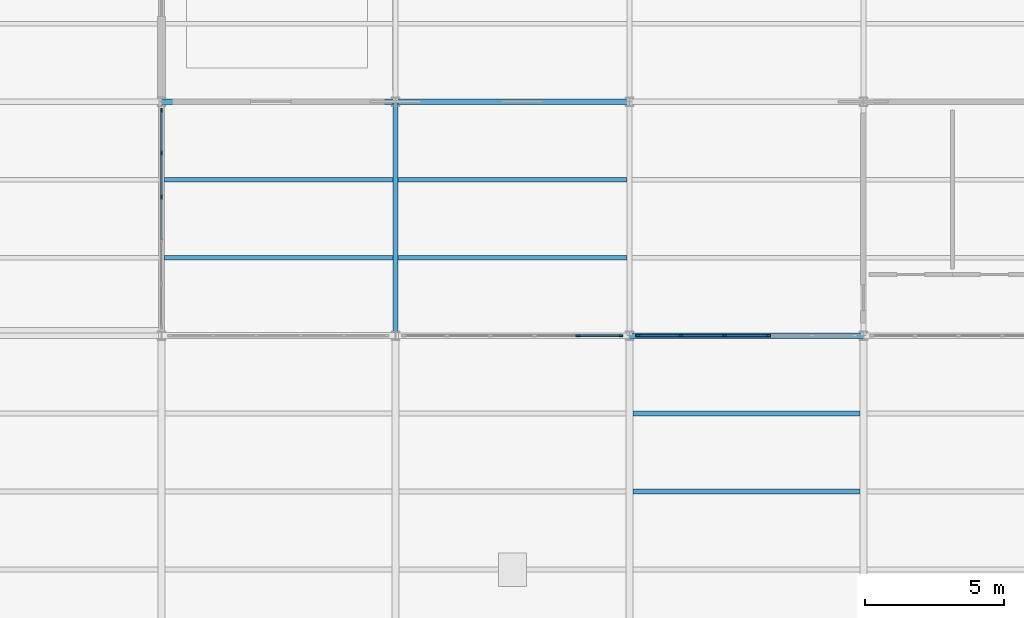
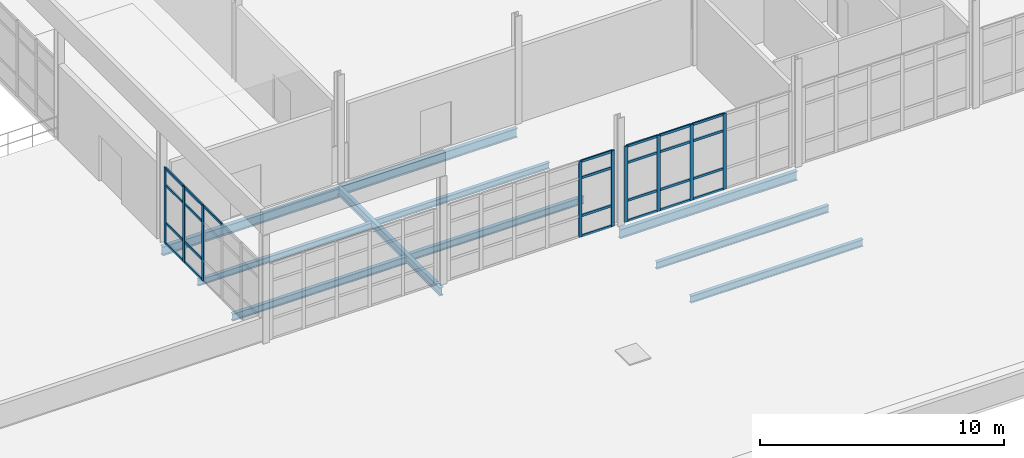
# One storey, part 9 of 33: 34 members, 10 beams, 3 elements without a shape of their own.
"""IFC4 building model written with IfcOpenShell, lengths in metres."""

from ifc_helpers import new_model, si_unit, direction, frame, origin, origin_2d, place, context, subcontext, project, spatial, rectangle, i_section, extrude, material, layer, layer_set, material_profile, profile_set, type_object, element, aggregate, save


model = new_model("IFC4")

# Units and contexts
model_context = context("Model", 3, precision=1e-05, world=origin(), true_north=direction((0.0, 1.0)))
body_context = subcontext(model_context, "Body", "Model", "MODEL_VIEW")
ifc_project = project(units=[si_unit("LENGTHUNIT", "METRE"), si_unit("AREAUNIT", "SQUARE_METRE"), si_unit("VOLUMEUNIT", "CUBIC_METRE"), si_unit("PLANEANGLEUNIT", "RADIAN"), si_unit("MASSUNIT", "GRAM", prefix="KILO"), si_unit("THERMODYNAMICTEMPERATUREUNIT", "KELVIN"), si_unit("POWERUNIT", "WATT")], contexts=[model_context])

# Site, building, storey
site_placement = place(None, origin())
site = spatial("IfcSite", under=ifc_project, at=site_placement, CompositionType="ELEMENT")
building_placement = place(site_placement, origin())
building = spatial("IfcBuilding", under=site, at=building_placement, Name="Tembeka Court Mobility Hub", CompositionType="ELEMENT")
storey_placement = place(building_placement, frame((0.0, 0.0, 23.39990234375)))
storey = spatial("IfcBuildingStorey", under=building, at=storey_placement, Name="L06", CompositionType="ELEMENT", Elevation=23.39990234375)

# Beams
ifc_material_1 = material(Name="Steel S355", Category="steel")
ifc_material_profile_1 = material_profile(ifc_material_1, i_section(OverallWidth=0.18994140625, OverallDepth=0.45703125, WebThickness=0.009033203125, FlangeThickness=0.014404296875, FilletRadius=0.01025390625, at=origin_2d()), Name="UKB 457x191x74")
ifc_profile_set_1 = profile_set([ifc_material_profile_1], Name="Steel S355")
beam_type_1 = type_object("IfcBeamType", Name="BM-B01", PredefinedType="BEAM", material=ifc_profile_set_1)
beam_1_placement = place(storey_placement, frame((50.39990234375, 38.39990234375, -0.478515625), z_axis=(1.0, 0.0, 0.0), x_axis=(0.0, 1.0, 0.0)))
element("IfcBeam", 1, at=beam_1_placement, inside=storey, type_object=beam_type_1, Name="Beam B01 (BM-L06-X3117)", PredefinedType="BEAM", context=body_context, shape_type="SweptSolid", body=[
    extrude(i_section(OverallWidth=0.18994140625, OverallDepth=0.45703125, WebThickness=0.009033203125, FlangeThickness=0.014404296875, FilletRadius=0.01025390625, at=origin_2d()), origin(), (0.0, 0.0, 1.0), 8.400146484375),
])
for number, where, z_axis, x_axis, name in (
    (2, (33.60009765625, 46.800048828125, -0.54833984375), (1.0, 0.0, 0.0), (0.0, 1.0, 0.0), "Beam B01 (BM-L06-X3125)"),
    (3, (42.0, 46.800048828125, -0.478515625), (1.0, 0.0, 0.0), (0.0, 1.0, 0.0), "Beam B01 (BM-L06-X3126)"),
):
    element("IfcBeam", number, at=place(storey_placement, frame(where, z_axis=z_axis, x_axis=x_axis)), inside=storey, type_object=beam_type_1, Name=name, PredefinedType="BEAM", context=body_context, shape_type="SweptSolid", body=[
        extrude(i_section(OverallWidth=0.18994140625, OverallDepth=0.45703125, WebThickness=0.009033203125, FlangeThickness=0.014404296875, FilletRadius=0.01025390625, at=origin_2d()), origin(), (0.0, 0.0, 1.0), 8.39990234375),
    ])
ifc_material_profile_2 = material_profile(ifc_material_1, i_section(OverallWidth=0.177978515625, OverallDepth=0.406005859375, WebThickness=0.0078125, FlangeThickness=0.0126953125, FilletRadius=0.01025390625, at=origin_2d()), Name="UKB 406x178x60")
ifc_profile_set_2 = profile_set([ifc_material_profile_2], Name="Steel S355")
beam_type_2 = type_object("IfcBeamType", Name="BM-B02", PredefinedType="BEAM", material=ifc_profile_set_2)
beam_2_placement = place(storey_placement, frame((42.0, 38.39990234375, -0.452880859375), z_axis=(0.0, 1.0, 0.0), x_axis=(-1.0, 0.0, 0.0)))
element("IfcBeam", 4, at=beam_2_placement, inside=storey, type_object=beam_type_2, Name="Beam B02 (BM-L06-Y3241)", PredefinedType="BEAM", context=body_context, shape_type="SweptSolid", body=[
    extrude(i_section(OverallWidth=0.177978515625, OverallDepth=0.406005859375, WebThickness=0.0078125, FlangeThickness=0.0126953125, FilletRadius=0.01025390625, at=origin_2d()), origin(), (0.0, 0.0, 1.0), 8.400146484375),
])
ifc_material_profile_3 = material_profile(ifc_material_1, i_section(OverallWidth=0.172119140625, OverallDepth=0.35498046875, WebThickness=0.00732421875, FlangeThickness=0.011474609375, FilletRadius=0.01025390625, at=origin_2d()), Name="UKB 356x171x51")
ifc_profile_set_3 = profile_set([ifc_material_profile_3], Name="Steel S355")
beam_type_3 = type_object("IfcBeamType", Name="BM-J01", PredefinedType="JOIST", material=ifc_profile_set_3)
for number, where, z_axis, x_axis, name in (
    (5, (50.52197265625, 32.800048828125, -0.407470703125), (1.0, 0.0, 0.0), (0.0, 1.0, 0.0), "Beam J01 (JST-L06-3406)"),
    (6, (50.52197265625, 35.60009765625, -0.407470703125), (1.0, 0.0, 0.0), (0.0, 1.0, 0.0), "Beam J01 (JST-L06-3407)"),
):
    element("IfcBeam", number, at=place(storey_placement, frame(where, z_axis=z_axis, x_axis=x_axis)), inside=storey, type_object=beam_type_3, Name=name, PredefinedType="JOIST", context=body_context, shape_type="SweptSolid", body=[
        extrude(i_section(OverallWidth=0.172119140625, OverallDepth=0.35498046875, WebThickness=0.00732421875, FlangeThickness=0.011474609375, FilletRadius=0.01025390625, at=origin_2d()), origin(), (0.0, 0.0, 1.0), 8.156005859375),
    ])
ifc_material_profile_4 = material_profile(ifc_material_1, i_section(OverallWidth=0.1650390625, OverallDepth=0.303955078125, WebThickness=0.006103515625, FlangeThickness=0.01025390625, FilletRadius=0.0087890625, at=origin_2d()), Name="UKB 305x165x40")
ifc_profile_set_4 = profile_set([ifc_material_profile_4], Name="Steel S355")
beam_type_4 = type_object("IfcBeamType", Name="BM-J02", PredefinedType="JOIST", material=ifc_profile_set_4)
for number, where, z_axis, x_axis, name in (
    (7, (33.68408203125, 44.0, -0.471923828125), (1.0, 0.0, 0.0), (0.0, 1.0, 0.0), "Beam J02 (JST-L06-3373)"),
    (8, (42.083984375, 44.0, -0.40185546875), (1.0, 0.0, 0.0), (0.0, 1.0, 0.0), "Beam J02 (JST-L06-3391)"),
):
    element("IfcBeam", number, at=place(storey_placement, frame(where, z_axis=z_axis, x_axis=x_axis)), inside=storey, type_object=beam_type_4, Name=name, PredefinedType="JOIST", context=body_context, shape_type="SweptSolid", body=[
        extrude(i_section(OverallWidth=0.1650390625, OverallDepth=0.303955078125, WebThickness=0.006103515625, FlangeThickness=0.01025390625, FilletRadius=0.0087890625, at=origin_2d()), origin(), (0.0, 0.0, 1.0), 8.23193359375),
    ])
ifc_material_profile_5 = material_profile(ifc_material_1, i_section(OverallWidth=0.169921875, OverallDepth=0.360107421875, WebThickness=0.008056640625, FlangeThickness=0.0126953125, FilletRadius=0.01806640625, at=origin_2d()), Name="IPE 360")
ifc_profile_set_5 = profile_set([ifc_material_profile_5], Name="Steel S355")
beam_type_5 = type_object("IfcBeamType", Name="BM-J03", PredefinedType="JOIST", material=ifc_profile_set_5)
for number, where, z_axis, x_axis, name in (
    (9, (33.68408203125, 41.199951171875, -0.5), (1.0, 0.0, 0.0), (0.0, 1.0, 0.0), "Beam J03 (JST-L06-3372)"),
    (10, (42.083984375, 41.199951171875, -0.429931640625), (1.0, 0.0, 0.0), (0.0, 1.0, 0.0), "Beam J03 (JST-L06-3390)"),
):
    element("IfcBeam", number, at=place(storey_placement, frame(where, z_axis=z_axis, x_axis=x_axis)), inside=storey, type_object=beam_type_5, Name=name, PredefinedType="JOIST", context=body_context, shape_type="SweptSolid", body=[
        extrude(i_section(OverallWidth=0.169921875, OverallDepth=0.360107421875, WebThickness=0.008056640625, FlangeThickness=0.0126953125, FilletRadius=0.01806640625, at=origin_2d()), origin(), (0.0, 0.0, 1.0), 8.23193359375),
    ])

# Curtain wall, members
ifc_material_2 = material(Name="Anodised aluminium 6063-T6", Category="aluminium")
ifc_layer = layer(ifc_material_2, 0.159912109375)
ifc_layer_set = layer_set([ifc_layer], Name="Anodised aluminium 6063-T6")
curtain_wall_type = type_object("IfcCurtainWallType", Name="CW-SYS57", PredefinedType="USERDEFINED", material=ifc_layer_set)
curtain_wall_1_placement = place(storey_placement, origin())
curtain_wall_1 = element("IfcCurtainWall", 11, at=curtain_wall_1_placement, inside=storey, type_object=curtain_wall_type, Name="Unitised curtain wall CW57 (CW-L06-150)", ObjectType="UNITISED GLAZING", PredefinedType="USERDEFINED")
ifc_material_profile_6 = material_profile(ifc_material_2, rectangle(XDim=0.06494140625, YDim=0.159912109375, at=origin_2d()), Name="ALU-MUL 65x160")
ifc_profile_set_6 = profile_set([ifc_material_profile_6], Name="Anodised aluminium 6063-T6")
member_type_1 = type_object("IfcMemberType", Name="CW-MUL01", PredefinedType="MULLION", material=ifc_profile_set_6)
member_1_placement = place(storey_placement, frame((33.60009765625, 43.384033203125, 0.0), z_axis=(0.0, 0.0, 1.0), x_axis=(-1.0, 0.0, 0.0)))
member_1 = element("IfcMember", 12, at=member_1_placement, type_object=member_type_1, Name="CW57 mullion 4", PredefinedType="MULLION", context=body_context, shape_type="SweptSolid", body=[
    extrude(rectangle(XDim=0.06494140625, YDim=0.159912109375, at=origin_2d()), origin(), (0.0, 0.0, 1.0), 3.795166015625),
])
member_2_placement = place(storey_placement, frame((33.60009765625, 44.951904296875, 0.0), z_axis=(0.0, 0.0, 1.0), x_axis=(-1.0, 0.0, 0.0)))
member_2 = element("IfcMember", 13, at=member_2_placement, type_object=member_type_1, Name="CW57 mullion 5", PredefinedType="MULLION", context=body_context, shape_type="SweptSolid", body=[
    extrude(rectangle(XDim=0.06494140625, YDim=0.159912109375, at=origin_2d()), origin(), (0.0, 0.0, 1.0), 3.795166015625),
])
member_3_placement = place(storey_placement, frame((33.60009765625, 46.487548828125, 0.0), z_axis=(0.0, 0.0, 1.0), x_axis=(-1.0, 0.0, 0.0)))
member_3 = element("IfcMember", 14, at=member_3_placement, type_object=member_type_1, Name="CW57 mullion 6", PredefinedType="MULLION", context=body_context, shape_type="SweptSolid", body=[
    extrude(rectangle(XDim=0.06494140625, YDim=0.159912109375, at=origin_2d()), origin(), (0.0, 0.0, 1.0), 3.795166015625),
])

curtain_wall_2_placement = place(storey_placement, origin())
curtain_wall_2 = element("IfcCurtainWall", 15, at=curtain_wall_2_placement, inside=storey, type_object=curtain_wall_type, Name="Unitised curtain wall CW57 (CW-L06-154)", ObjectType="UNITISED GLAZING", PredefinedType="USERDEFINED")
member_4_placement = place(storey_placement, frame((48.552001953125, 38.39990234375, 0.0), z_axis=(0.0, 0.0, 1.0), x_axis=(0.0, 1.0, 0.0)))
member_4 = element("IfcMember", 16, at=member_4_placement, type_object=member_type_1, Name="CW57 mullion 5", PredefinedType="MULLION", context=body_context, shape_type="SweptSolid", body=[
    extrude(rectangle(XDim=0.06494140625, YDim=0.159912109375, at=origin_2d()), origin(), (0.0, 0.0, 1.0), 3.795166015625),
])
member_5_placement = place(storey_placement, frame((50.08740234375, 38.39990234375, 0.0), z_axis=(0.0, 0.0, 1.0), x_axis=(0.0, 1.0, 0.0)))
member_5 = element("IfcMember", 17, at=member_5_placement, type_object=member_type_1, Name="CW57 mullion 6", PredefinedType="MULLION", context=body_context, shape_type="SweptSolid", body=[
    extrude(rectangle(XDim=0.06494140625, YDim=0.159912109375, at=origin_2d()), origin(), (0.0, 0.0, 1.0), 3.795166015625),
])

curtain_wall_3_placement = place(storey_placement, origin())
curtain_wall_3 = element("IfcCurtainWall", 18, at=curtain_wall_3_placement, inside=storey, type_object=curtain_wall_type, Name="Unitised curtain wall CW57 (CW-L06-156)", ObjectType="UNITISED GLAZING", PredefinedType="USERDEFINED")
member_6_placement = place(storey_placement, frame((50.71240234375, 38.39990234375, 0.0), z_axis=(0.0, 0.0, 1.0), x_axis=(0.0, 1.0, 0.0)))
member_6 = element("IfcMember", 19, at=member_6_placement, type_object=member_type_1, Name="CW57 mullion 1", PredefinedType="MULLION", context=body_context, shape_type="SweptSolid", body=[
    extrude(rectangle(XDim=0.06494140625, YDim=0.159912109375, at=origin_2d()), origin(), (0.0, 0.0, 1.0), 3.795166015625),
])
member_7_placement = place(storey_placement, frame((52.248046875, 38.39990234375, 0.0), z_axis=(0.0, 0.0, 1.0), x_axis=(0.0, 1.0, 0.0)))
member_7 = element("IfcMember", 20, at=member_7_placement, type_object=member_type_1, Name="CW57 mullion 2", PredefinedType="MULLION", context=body_context, shape_type="SweptSolid", body=[
    extrude(rectangle(XDim=0.06494140625, YDim=0.159912109375, at=origin_2d()), origin(), (0.0, 0.0, 1.0), 3.795166015625),
])
member_8_placement = place(storey_placement, frame((53.81591796875, 38.39990234375, 0.0), z_axis=(0.0, 0.0, 1.0), x_axis=(0.0, 1.0, 0.0)))
member_8 = element("IfcMember", 21, at=member_8_placement, type_object=member_type_1, Name="CW57 mullion 3", PredefinedType="MULLION", context=body_context, shape_type="SweptSolid", body=[
    extrude(rectangle(XDim=0.06494140625, YDim=0.159912109375, at=origin_2d()), origin(), (0.0, 0.0, 1.0), 3.795166015625),
])
member_9_placement = place(storey_placement, frame((55.384033203125, 38.39990234375, 0.0), z_axis=(0.0, 0.0, 1.0), x_axis=(0.0, 1.0, 0.0)))
member_9 = element("IfcMember", 22, at=member_9_placement, type_object=member_type_1, Name="CW57 mullion 4", PredefinedType="MULLION", context=body_context, shape_type="SweptSolid", body=[
    extrude(rectangle(XDim=0.06494140625, YDim=0.159912109375, at=origin_2d()), origin(), (0.0, 0.0, 1.0), 3.795166015625),
])

# Member
ifc_material_profile_7 = material_profile(ifc_material_2, rectangle(XDim=0.06494140625, YDim=0.1201171875, at=origin_2d()), Name="ALU-TRN 65x120")
ifc_profile_set_7 = profile_set([ifc_material_profile_7], Name="Anodised aluminium 6063-T6")
member_type_2 = type_object("IfcMemberType", Name="CW-TRN01", PredefinedType="USERDEFINED", material=ifc_profile_set_7)
member_10_placement = place(storey_placement, frame((33.60009765625, 41.848388671875, 3.7626953125), z_axis=(0.0, 1.0, 0.0), x_axis=(-1.0, 0.0, 0.0)))
member_10 = element("IfcMember", 23, at=member_10_placement, type_object=member_type_2, Name="CW57 transom 3.4", ObjectType="TRANSOM", PredefinedType="USERDEFINED", context=body_context, shape_type="SweptSolid", body=[
    extrude(rectangle(XDim=0.06494140625, YDim=0.1201171875, at=origin_2d()), origin(), (0.0, 0.0, 1.0), 1.503173828125),
])

member_11_placement = place(storey_placement, frame((33.60009765625, 43.41650390625, 0.03271484375), z_axis=(0.0, 1.0, 0.0), x_axis=(-1.0, 0.0, 0.0)))
member_11 = element("IfcMember", 24, at=member_11_placement, type_object=member_type_2, Name="CW57 transom 4.1", ObjectType="TRANSOM", PredefinedType="USERDEFINED", context=body_context, shape_type="SweptSolid", body=[
    extrude(rectangle(XDim=0.06494140625, YDim=0.1201171875, at=origin_2d()), origin(), (0.0, 0.0, 1.0), 1.5029296875),
])

member_12_placement = place(storey_placement, frame((33.60009765625, 43.41650390625, 1.050048828125), z_axis=(0.0, 1.0, 0.0), x_axis=(-1.0, 0.0, 0.0)))
member_12 = element("IfcMember", 25, at=member_12_placement, type_object=member_type_2, Name="CW57 transom 4.2", ObjectType="TRANSOM", PredefinedType="USERDEFINED", context=body_context, shape_type="SweptSolid", body=[
    extrude(rectangle(XDim=0.06494140625, YDim=0.1201171875, at=origin_2d()), origin(), (0.0, 0.0, 1.0), 1.5029296875),
])

member_13_placement = place(storey_placement, frame((33.60009765625, 43.41650390625, 2.945068359375), z_axis=(0.0, 1.0, 0.0), x_axis=(-1.0, 0.0, 0.0)))
member_13 = element("IfcMember", 26, at=member_13_placement, type_object=member_type_2, Name="CW57 transom 4.3", ObjectType="TRANSOM", PredefinedType="USERDEFINED", context=body_context, shape_type="SweptSolid", body=[
    extrude(rectangle(XDim=0.06494140625, YDim=0.1201171875, at=origin_2d()), origin(), (0.0, 0.0, 1.0), 1.5029296875),
])

member_14_placement = place(storey_placement, frame((33.60009765625, 43.41650390625, 3.7626953125), z_axis=(0.0, 1.0, 0.0), x_axis=(-1.0, 0.0, 0.0)))
member_14 = element("IfcMember", 27, at=member_14_placement, type_object=member_type_2, Name="CW57 transom 4.4", ObjectType="TRANSOM", PredefinedType="USERDEFINED", context=body_context, shape_type="SweptSolid", body=[
    extrude(rectangle(XDim=0.06494140625, YDim=0.1201171875, at=origin_2d()), origin(), (0.0, 0.0, 1.0), 1.5029296875),
])

member_15_placement = place(storey_placement, frame((33.60009765625, 44.984619140625, 0.03271484375), z_axis=(0.0, 1.0, 0.0), x_axis=(-1.0, 0.0, 0.0)))
member_15 = element("IfcMember", 28, at=member_15_placement, type_object=member_type_2, Name="CW57 transom 5.1", ObjectType="TRANSOM", PredefinedType="USERDEFINED", context=body_context, shape_type="SweptSolid", body=[
    extrude(rectangle(XDim=0.06494140625, YDim=0.1201171875, at=origin_2d()), origin(), (0.0, 0.0, 1.0), 1.470458984375),
])

member_16_placement = place(storey_placement, frame((33.60009765625, 44.984619140625, 1.050048828125), z_axis=(0.0, 1.0, 0.0), x_axis=(-1.0, 0.0, 0.0)))
member_16 = element("IfcMember", 29, at=member_16_placement, type_object=member_type_2, Name="CW57 transom 5.2", ObjectType="TRANSOM", PredefinedType="USERDEFINED", context=body_context, shape_type="SweptSolid", body=[
    extrude(rectangle(XDim=0.06494140625, YDim=0.1201171875, at=origin_2d()), origin(), (0.0, 0.0, 1.0), 1.470458984375),
])

member_17_placement = place(storey_placement, frame((33.60009765625, 44.984619140625, 2.945068359375), z_axis=(0.0, 1.0, 0.0), x_axis=(-1.0, 0.0, 0.0)))
member_17 = element("IfcMember", 30, at=member_17_placement, type_object=member_type_2, Name="CW57 transom 5.3", ObjectType="TRANSOM", PredefinedType="USERDEFINED", context=body_context, shape_type="SweptSolid", body=[
    extrude(rectangle(XDim=0.06494140625, YDim=0.1201171875, at=origin_2d()), origin(), (0.0, 0.0, 1.0), 1.470458984375),
])

member_18_placement = place(storey_placement, frame((33.60009765625, 44.984619140625, 3.7626953125), z_axis=(0.0, 1.0, 0.0), x_axis=(-1.0, 0.0, 0.0)))
member_18 = element("IfcMember", 31, at=member_18_placement, type_object=member_type_2, Name="CW57 transom 5.4", ObjectType="TRANSOM", PredefinedType="USERDEFINED", context=body_context, shape_type="SweptSolid", body=[
    extrude(rectangle(XDim=0.06494140625, YDim=0.1201171875, at=origin_2d()), origin(), (0.0, 0.0, 1.0), 1.470458984375),
])

aggregate(curtain_wall_1, [member_1, member_2, member_3, member_10, member_11, member_12, member_13, member_14, member_15, member_16, member_17, member_18])

member_19_placement = place(storey_placement, frame((48.58447265625, 38.39990234375, 0.03271484375), z_axis=(1.0, 0.0, 0.0), x_axis=(0.0, 1.0, 0.0)))
member_19 = element("IfcMember", 32, at=member_19_placement, type_object=member_type_2, Name="CW57 transom 5.1", ObjectType="TRANSOM", PredefinedType="USERDEFINED", context=body_context, shape_type="SweptSolid", body=[
    extrude(rectangle(XDim=0.06494140625, YDim=0.1201171875, at=origin_2d()), origin(), (0.0, 0.0, 1.0), 1.470458984375),
])

member_20_placement = place(storey_placement, frame((48.58447265625, 38.39990234375, 1.050048828125), z_axis=(1.0, 0.0, 0.0), x_axis=(0.0, 1.0, 0.0)))
member_20 = element("IfcMember", 33, at=member_20_placement, type_object=member_type_2, Name="CW57 transom 5.2", ObjectType="TRANSOM", PredefinedType="USERDEFINED", context=body_context, shape_type="SweptSolid", body=[
    extrude(rectangle(XDim=0.06494140625, YDim=0.1201171875, at=origin_2d()), origin(), (0.0, 0.0, 1.0), 1.470458984375),
])

member_21_placement = place(storey_placement, frame((48.58447265625, 38.39990234375, 2.945068359375), z_axis=(1.0, 0.0, 0.0), x_axis=(0.0, 1.0, 0.0)))
member_21 = element("IfcMember", 34, at=member_21_placement, type_object=member_type_2, Name="CW57 transom 5.3", ObjectType="TRANSOM", PredefinedType="USERDEFINED", context=body_context, shape_type="SweptSolid", body=[
    extrude(rectangle(XDim=0.06494140625, YDim=0.1201171875, at=origin_2d()), origin(), (0.0, 0.0, 1.0), 1.470458984375),
])

member_22_placement = place(storey_placement, frame((48.58447265625, 38.39990234375, 3.7626953125), z_axis=(1.0, 0.0, 0.0), x_axis=(0.0, 1.0, 0.0)))
member_22 = element("IfcMember", 35, at=member_22_placement, type_object=member_type_2, Name="CW57 transom 5.4", ObjectType="TRANSOM", PredefinedType="USERDEFINED", context=body_context, shape_type="SweptSolid", body=[
    extrude(rectangle(XDim=0.06494140625, YDim=0.1201171875, at=origin_2d()), origin(), (0.0, 0.0, 1.0), 1.470458984375),
])

aggregate(curtain_wall_2, [member_4, member_5, member_19, member_20, member_21, member_22])

member_23_placement = place(storey_placement, frame((50.7451171875, 38.39990234375, 0.03271484375), z_axis=(1.0, 0.0, 0.0), x_axis=(0.0, 1.0, 0.0)))
member_23 = element("IfcMember", 36, at=member_23_placement, type_object=member_type_2, Name="CW57 transom 1.1", ObjectType="TRANSOM", PredefinedType="USERDEFINED", context=body_context, shape_type="SweptSolid", body=[
    extrude(rectangle(XDim=0.06494140625, YDim=0.1201171875, at=origin_2d()), origin(), (0.0, 0.0, 1.0), 1.470458984375),
])

member_24_placement = place(storey_placement, frame((50.7451171875, 38.39990234375, 1.050048828125), z_axis=(1.0, 0.0, 0.0), x_axis=(0.0, 1.0, 0.0)))
member_24 = element("IfcMember", 37, at=member_24_placement, type_object=member_type_2, Name="CW57 transom 1.2", ObjectType="TRANSOM", PredefinedType="USERDEFINED", context=body_context, shape_type="SweptSolid", body=[
    extrude(rectangle(XDim=0.06494140625, YDim=0.1201171875, at=origin_2d()), origin(), (0.0, 0.0, 1.0), 1.470458984375),
])

member_25_placement = place(storey_placement, frame((50.7451171875, 38.39990234375, 2.945068359375), z_axis=(1.0, 0.0, 0.0), x_axis=(0.0, 1.0, 0.0)))
member_25 = element("IfcMember", 38, at=member_25_placement, type_object=member_type_2, Name="CW57 transom 1.3", ObjectType="TRANSOM", PredefinedType="USERDEFINED", context=body_context, shape_type="SweptSolid", body=[
    extrude(rectangle(XDim=0.06494140625, YDim=0.1201171875, at=origin_2d()), origin(), (0.0, 0.0, 1.0), 1.470458984375),
])

member_26_placement = place(storey_placement, frame((50.7451171875, 38.39990234375, 3.7626953125), z_axis=(1.0, 0.0, 0.0), x_axis=(0.0, 1.0, 0.0)))
member_26 = element("IfcMember", 39, at=member_26_placement, type_object=member_type_2, Name="CW57 transom 1.4", ObjectType="TRANSOM", PredefinedType="USERDEFINED", context=body_context, shape_type="SweptSolid", body=[
    extrude(rectangle(XDim=0.06494140625, YDim=0.1201171875, at=origin_2d()), origin(), (0.0, 0.0, 1.0), 1.470458984375),
])

member_27_placement = place(storey_placement, frame((52.280517578125, 38.39990234375, 0.03271484375), z_axis=(1.0, 0.0, 0.0), x_axis=(0.0, 1.0, 0.0)))
member_27 = element("IfcMember", 40, at=member_27_placement, type_object=member_type_2, Name="CW57 transom 2.1", ObjectType="TRANSOM", PredefinedType="USERDEFINED", context=body_context, shape_type="SweptSolid", body=[
    extrude(rectangle(XDim=0.06494140625, YDim=0.1201171875, at=origin_2d()), origin(), (0.0, 0.0, 1.0), 1.5029296875),
])

member_28_placement = place(storey_placement, frame((52.280517578125, 38.39990234375, 1.050048828125), z_axis=(1.0, 0.0, 0.0), x_axis=(0.0, 1.0, 0.0)))
member_28 = element("IfcMember", 41, at=member_28_placement, type_object=member_type_2, Name="CW57 transom 2.2", ObjectType="TRANSOM", PredefinedType="USERDEFINED", context=body_context, shape_type="SweptSolid", body=[
    extrude(rectangle(XDim=0.06494140625, YDim=0.1201171875, at=origin_2d()), origin(), (0.0, 0.0, 1.0), 1.5029296875),
])

member_29_placement = place(storey_placement, frame((52.280517578125, 38.39990234375, 2.945068359375), z_axis=(1.0, 0.0, 0.0), x_axis=(0.0, 1.0, 0.0)))
member_29 = element("IfcMember", 42, at=member_29_placement, type_object=member_type_2, Name="CW57 transom 2.3", ObjectType="TRANSOM", PredefinedType="USERDEFINED", context=body_context, shape_type="SweptSolid", body=[
    extrude(rectangle(XDim=0.06494140625, YDim=0.1201171875, at=origin_2d()), origin(), (0.0, 0.0, 1.0), 1.5029296875),
])

member_30_placement = place(storey_placement, frame((52.280517578125, 38.39990234375, 3.7626953125), z_axis=(1.0, 0.0, 0.0), x_axis=(0.0, 1.0, 0.0)))
member_30 = element("IfcMember", 43, at=member_30_placement, type_object=member_type_2, Name="CW57 transom 2.4", ObjectType="TRANSOM", PredefinedType="USERDEFINED", context=body_context, shape_type="SweptSolid", body=[
    extrude(rectangle(XDim=0.06494140625, YDim=0.1201171875, at=origin_2d()), origin(), (0.0, 0.0, 1.0), 1.5029296875),
])

member_31_placement = place(storey_placement, frame((53.848388671875, 38.39990234375, 0.03271484375), z_axis=(1.0, 0.0, 0.0), x_axis=(0.0, 1.0, 0.0)))
member_31 = element("IfcMember", 44, at=member_31_placement, type_object=member_type_2, Name="CW57 transom 3.1", ObjectType="TRANSOM", PredefinedType="USERDEFINED", context=body_context, shape_type="SweptSolid", body=[
    extrude(rectangle(XDim=0.06494140625, YDim=0.1201171875, at=origin_2d()), origin(), (0.0, 0.0, 1.0), 1.503173828125),
])

member_32_placement = place(storey_placement, frame((53.848388671875, 38.39990234375, 1.050048828125), z_axis=(1.0, 0.0, 0.0), x_axis=(0.0, 1.0, 0.0)))
member_32 = element("IfcMember", 45, at=member_32_placement, type_object=member_type_2, Name="CW57 transom 3.2", ObjectType="TRANSOM", PredefinedType="USERDEFINED", context=body_context, shape_type="SweptSolid", body=[
    extrude(rectangle(XDim=0.06494140625, YDim=0.1201171875, at=origin_2d()), origin(), (0.0, 0.0, 1.0), 1.503173828125),
])

member_33_placement = place(storey_placement, frame((53.848388671875, 38.39990234375, 2.945068359375), z_axis=(1.0, 0.0, 0.0), x_axis=(0.0, 1.0, 0.0)))
member_33 = element("IfcMember", 46, at=member_33_placement, type_object=member_type_2, Name="CW57 transom 3.3", ObjectType="TRANSOM", PredefinedType="USERDEFINED", context=body_context, shape_type="SweptSolid", body=[
    extrude(rectangle(XDim=0.06494140625, YDim=0.1201171875, at=origin_2d()), origin(), (0.0, 0.0, 1.0), 1.503173828125),
])

member_34_placement = place(storey_placement, frame((53.848388671875, 38.39990234375, 3.7626953125), z_axis=(1.0, 0.0, 0.0), x_axis=(0.0, 1.0, 0.0)))
member_34 = element("IfcMember", 47, at=member_34_placement, type_object=member_type_2, Name="CW57 transom 3.4", ObjectType="TRANSOM", PredefinedType="USERDEFINED", context=body_context, shape_type="SweptSolid", body=[
    extrude(rectangle(XDim=0.06494140625, YDim=0.1201171875, at=origin_2d()), origin(), (0.0, 0.0, 1.0), 1.503173828125),
])

aggregate(curtain_wall_3, [member_6, member_7, member_8, member_9, member_23, member_24, member_25, member_26, member_27, member_28, member_29, member_30, member_31, member_32, member_33, member_34])

save(model, "model.ifc")
